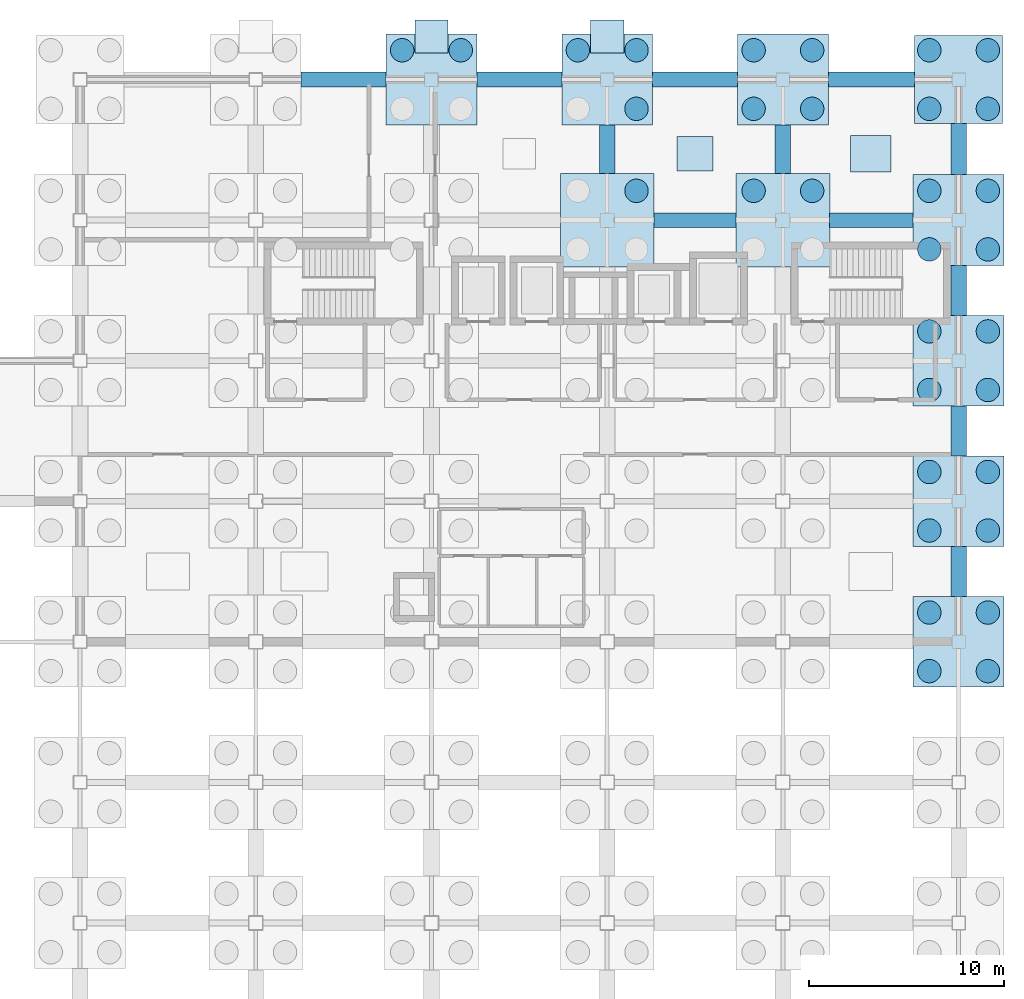
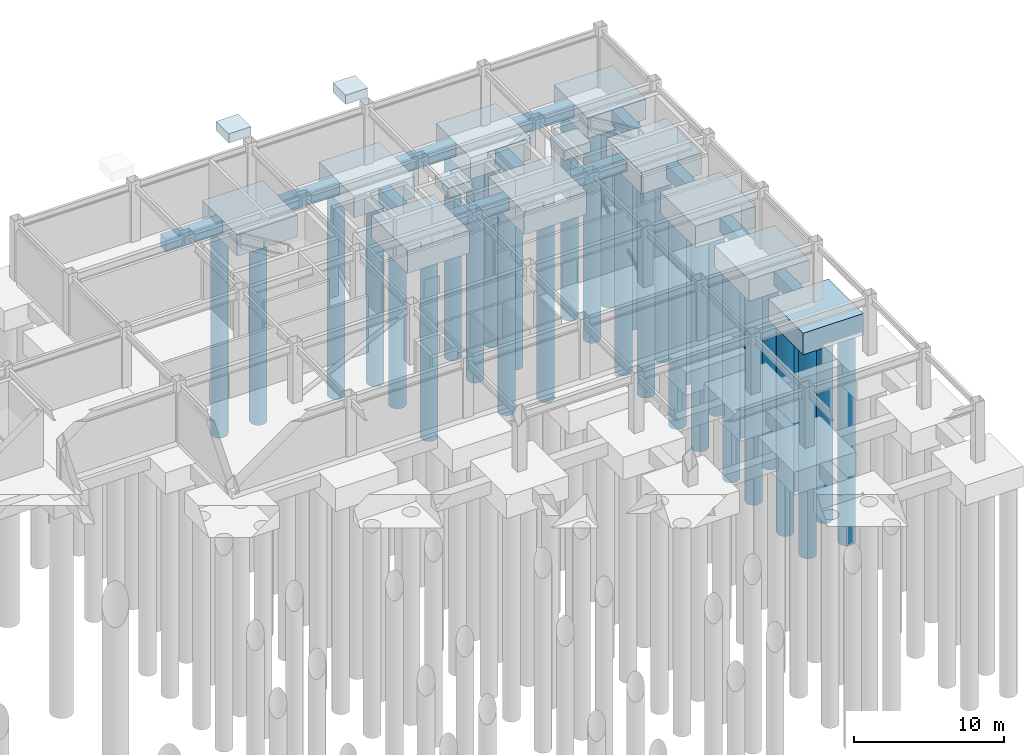
# One storey, part 10 of 28: 32 piles, 26 footings.
"""IFC4 building model written with IfcOpenShell, lengths in metres."""

from ifc_helpers import new_model, si_unit, direction, frame, origin, origin_2d, place, context, subcontext, project, spatial, rectangle, circle, extrude, material, material_profile, profile_set, type_object, element, save


model = new_model("IFC4")

# Units and contexts
model_context = context("Model", 3, precision=1e-05, world=origin(), true_north=direction((0.0, 1.0)))
body_context = subcontext(model_context, "Body", "Model", "MODEL_VIEW")
ifc_project = project(units=[si_unit("LENGTHUNIT", "METRE"), si_unit("AREAUNIT", "SQUARE_METRE"), si_unit("VOLUMEUNIT", "CUBIC_METRE"), si_unit("PLANEANGLEUNIT", "RADIAN"), si_unit("MASSUNIT", "GRAM", prefix="KILO")], contexts=[model_context])

# Site, building, storey
site_placement = place(None, origin())
site = spatial("IfcSite", under=ifc_project, at=site_placement, CompositionType="ELEMENT")
building_placement = place(site_placement, origin())
building = spatial("IfcBuilding", under=site, at=building_placement, Name="Kazanami Central Library", CompositionType="ELEMENT")
storey_placement = place(building_placement, frame((0.0, 0.0, -4.89990234375)))
storey = spatial("IfcBuildingStorey", under=building, at=storey_placement, Name="B01", CompositionType="ELEMENT", Elevation=-4.89990234375)

# Footings
ifc_material_1 = material(Name="Concrete Fc36 (36 MPa)", Category="concrete")
ifc_material_profile_1 = material_profile(ifc_material_1, rectangle(XDim=0.75, YDim=1.050048828125, at=origin_2d()), Name="RC-750x1050")
ifc_profile_set_1 = profile_set([ifc_material_profile_1], Name="Concrete Fc36 (36 MPa)")
footing_type_1 = type_object("IfcFootingType", Name="FTG-GB-05", PredefinedType="FOOTING_BEAM", material=ifc_profile_set_1)
footing_1_placement = place(storey_placement, frame((146.39990234375, 86.39990234375, -1.14501953125), z_axis=(1.0, 0.0, 0.0), x_axis=(0.0, 1.0, 0.0)))
element("IfcFooting", 1, at=footing_1_placement, inside=storey, type_object=footing_type_1, Name="Ground Tie Beam GB-05 N/17-18", PredefinedType="FOOTING_BEAM", context=body_context, shape_type="SweptSolid", body=[
    extrude(rectangle(XDim=0.75, YDim=1.050048828125, at=origin_2d()), origin(), (0.0, 0.0, 1.0), 4.2001953125),
])
footing_2_placement = place(storey_placement, frame((155.39990234375, 86.39990234375, -1.14501953125), z_axis=(1.0, 0.0, 0.0), x_axis=(0.0, 1.0, 0.0)))
element("IfcFooting", 2, at=footing_2_placement, inside=storey, type_object=footing_type_1, Name="Ground Tie Beam GB-05 N/18-19", PredefinedType="FOOTING_BEAM", context=body_context, shape_type="SweptSolid", body=[
    extrude(rectangle(XDim=0.75, YDim=1.050048828125, at=origin_2d()), origin(), (0.0, 0.0, 1.0), 4.275146484375),
])
for number, where, z_axis, x_axis, name in (
    (3, (128.324951171875, 93.60009765625, -1.14501953125), (1.0, 0.0, 0.0), (0.0, 1.0, 0.0), "Ground Tie Beam GB-05 O/15-16"),
    (4, (137.324951171875, 93.60009765625, -1.14501953125), (1.0, 0.0, 0.0), (0.0, 1.0, 0.0), "Ground Tie Beam GB-05 O/16-17"),
    (5, (146.324951171875, 93.60009765625, -1.14501953125), (1.0, 0.0, 0.0), (0.0, 1.0, 0.0), "Ground Tie Beam GB-05 O/17-18"),
):
    element("IfcFooting", number, at=place(storey_placement, frame(where, z_axis=z_axis, x_axis=x_axis)), inside=storey, type_object=footing_type_1, Name=name, PredefinedType="FOOTING_BEAM", context=body_context, shape_type="SweptSolid", body=[
        extrude(rectangle(XDim=0.75, YDim=1.050048828125, at=origin_2d()), origin(), (0.0, 0.0, 1.0), 4.35009765625),
    ])
footing_3_placement = place(storey_placement, frame((155.324951171875, 93.60009765625, -1.14501953125), z_axis=(1.0, 0.0, 0.0), x_axis=(0.0, 1.0, 0.0)))
element("IfcFooting", 6, at=footing_3_placement, inside=storey, type_object=footing_type_1, Name="Ground Tie Beam GB-05 O/18-19", PredefinedType="FOOTING_BEAM", context=body_context, shape_type="SweptSolid", body=[
    extrude(rectangle(XDim=0.75, YDim=1.050048828125, at=origin_2d()), origin(), (0.0, 0.0, 1.0), 4.425048828125),
])
ifc_material_profile_2 = material_profile(ifc_material_1, rectangle(XDim=0.800048828125, YDim=1.14990234375, at=origin_2d()), Name="RC-800x1150")
ifc_profile_set_2 = profile_set([ifc_material_profile_2], Name="Concrete Fc36 (36 MPa)")
footing_type_2 = type_object("IfcFootingType", Name="FTG-GB-06", PredefinedType="FOOTING_BEAM", material=ifc_profile_set_2)
for number, where, z_axis, x_axis, name in (
    (7, (144.0, 88.800048828125, -1.195068359375), (0.0, 1.0, 0.0), (-1.0, 0.0, 0.0), "Ground Tie Beam GB-06 17/N-O"),
    (8, (153.0, 88.800048828125, -1.195068359375), (0.0, 1.0, 0.0), (-1.0, 0.0, 0.0), "Ground Tie Beam GB-06 18/N-O"),
):
    element("IfcFooting", number, at=place(storey_placement, frame(where, z_axis=z_axis, x_axis=x_axis)), inside=storey, type_object=footing_type_2, Name=name, PredefinedType="FOOTING_BEAM", context=body_context, shape_type="SweptSolid", body=[
        extrude(rectangle(XDim=0.800048828125, YDim=1.14990234375, at=origin_2d()), origin(), (0.0, 0.0, 1.0), 2.474853515625),
    ])
for number, where, z_axis, x_axis, name in (
    (9, (162.0, 67.125, -1.195068359375), (0.0, 1.0, 0.0), (-1.0, 0.0, 0.0), "Ground Tie Beam GB-06 19/K-L"),
    (10, (162.0, 74.324951171875, -1.195068359375), (0.0, 1.0, 0.0), (-1.0, 0.0, 0.0), "Ground Tie Beam GB-06 19/L-M"),
    (11, (162.0, 81.52490234375, -1.195068359375), (0.0, 1.0, 0.0), (-1.0, 0.0, 0.0), "Ground Tie Beam GB-06 19/M-N"),
):
    element("IfcFooting", number, at=place(storey_placement, frame(where, z_axis=z_axis, x_axis=x_axis)), inside=storey, type_object=footing_type_2, Name=name, PredefinedType="FOOTING_BEAM", context=body_context, shape_type="SweptSolid", body=[
        extrude(rectangle(XDim=0.800048828125, YDim=1.14990234375, at=origin_2d()), origin(), (0.0, 0.0, 1.0), 2.550048828125),
    ])
footing_4_placement = place(storey_placement, frame((162.0, 88.72509765625, -1.195068359375), z_axis=(0.0, 1.0, 0.0), x_axis=(-1.0, 0.0, 0.0)))
element("IfcFooting", 12, at=footing_4_placement, inside=storey, type_object=footing_type_2, Name="Ground Tie Beam GB-06 19/N-O", PredefinedType="FOOTING_BEAM", context=body_context, shape_type="SweptSolid", body=[
    extrude(rectangle(XDim=0.800048828125, YDim=1.14990234375, at=origin_2d()), origin(), (0.0, 0.0, 1.0), 2.625),
])
footing_type_3 = type_object("IfcFootingType", Name="FTG-PC-01", PredefinedType="PILE_CAP", material=ifc_material_1)
for number, where, z_axis, x_axis, name in (
    (13, (144.0, 86.39990234375, -2.47021484375), (0.0, 0.0, 1.0), (1.0, 0.0, 0.0), "Pile Cap PC-01 at 17/N"),
    (14, (153.0, 86.39990234375, -2.47021484375), (0.0, 0.0, 1.0), (1.0, 0.0, 0.0), "Pile Cap PC-01 at 18/N"),
):
    element("IfcFooting", number, at=place(storey_placement, frame(where, z_axis=z_axis, x_axis=x_axis)), inside=storey, type_object=footing_type_3, Name=name, PredefinedType="PILE_CAP", context=body_context, shape_type="SweptSolid", body=[
        extrude(rectangle(XDim=4.800048828125, YDim=4.800048828125, at=origin_2d()), origin(), (0.0, 0.0, 1.0), 1.85009765625),
    ])
footing_type_4 = type_object("IfcFootingType", Name="FTG-PC-02", PredefinedType="PILE_CAP", material=ifc_material_1)
for number, where, z_axis, x_axis, name in (
    (15, (135.0, 93.60009765625, -2.3701171875), (0.0, 0.0, 1.0), (1.0, 0.0, 0.0), "Pile Cap PC-02 at 16/O"),
    (16, (144.0, 93.60009765625, -2.3701171875), (0.0, 0.0, 1.0), (1.0, 0.0, 0.0), "Pile Cap PC-02 at 17/O"),
    (17, (153.0, 93.60009765625, -2.3701171875), (0.0, 0.0, 1.0), (1.0, 0.0, 0.0), "Pile Cap PC-02 at 18/O"),
    (18, (162.0, 64.800048828125, -2.3701171875), (0.0, 0.0, 1.0), (1.0, 0.0, 0.0), "Pile Cap PC-02 at 19/K"),
    (19, (162.0, 72.0, -2.3701171875), (0.0, 0.0, 1.0), (1.0, 0.0, 0.0), "Pile Cap PC-02 at 19/L"),
    (20, (162.0, 79.199951171875, -2.3701171875), (0.0, 0.0, 1.0), (1.0, 0.0, 0.0), "Pile Cap PC-02 at 19/M"),
    (21, (162.0, 86.39990234375, -2.3701171875), (0.0, 0.0, 1.0), (1.0, 0.0, 0.0), "Pile Cap PC-02 at 19/N"),
):
    element("IfcFooting", number, at=place(storey_placement, frame(where, z_axis=z_axis, x_axis=x_axis)), inside=storey, type_object=footing_type_4, Name=name, PredefinedType="PILE_CAP", context=body_context, shape_type="SweptSolid", body=[
        extrude(rectangle(XDim=4.64990234375, YDim=4.64990234375, at=origin_2d()), origin(), (0.0, 0.0, 1.0), 1.75),
    ])
footing_type_5 = type_object("IfcFootingType", Name="FTG-PC-03", PredefinedType="PILE_CAP", material=ifc_material_1)
footing_5_placement = place(storey_placement, frame((162.0, 93.60009765625, -2.27001953125), z_axis=(0.0, 0.0, 1.0), x_axis=(1.0, 0.0, 0.0)))
element("IfcFooting", 22, at=footing_5_placement, inside=storey, type_object=footing_type_5, Name="Pile Cap PC-03 at 19/O", PredefinedType="PILE_CAP", context=body_context, shape_type="SweptSolid", body=[
    extrude(rectangle(XDim=4.5, YDim=4.5, at=origin_2d()), origin(), (0.0, 0.0, 1.0), 1.64990234375),
])
ifc_material_2 = material(Name="Concrete Fc30 (30 MPa)", Category="concrete")
footing_type_6 = type_object("IfcFootingType", Name="FTG-PF-01", PredefinedType="PAD_FOOTING", material=ifc_material_2)
for number, where, z_axis, x_axis, name in (
    (23, (135.0, 95.800048828125, 4.125), (0.0, 0.0, 1.0), (1.0, 0.0, 0.0), "Canopy Post Pad Footing CAN-V2-NORTH X=135"),
    (24, (144.0, 95.800048828125, 4.125), (0.0, 0.0, 1.0), (1.0, 0.0, 0.0), "Canopy Post Pad Footing CAN-V2-NORTH X=144"),
):
    element("IfcFooting", number, at=place(storey_placement, frame(where, z_axis=z_axis, x_axis=x_axis)), inside=storey, type_object=footing_type_6, Name=name, PredefinedType="PAD_FOOTING", context=body_context, shape_type="SweptSolid", body=[
        extrude(rectangle(XDim=1.699951171875, YDim=1.699951171875, at=origin_2d()), origin(), (0.0, 0.0, 1.0), 0.75),
    ])
footing_type_7 = type_object("IfcFootingType", Name="FTG-PF-10", PredefinedType="PAD_FOOTING", material=ifc_material_2)
footing_6_placement = place(storey_placement, frame((148.5, 89.800048828125, -1.39990234375), z_axis=(0.0, 0.0, 1.0), x_axis=(1.0, 0.0, 0.0)))
element("IfcFooting", 25, at=footing_6_placement, inside=storey, type_object=footing_type_7, Name="Equipment Pad Footing PF-10", PredefinedType="PAD_FOOTING", context=body_context, shape_type="SweptSolid", body=[
    extrude(rectangle(XDim=1.85009765625, YDim=1.75, at=origin_2d()), origin(), (0.0, 0.0, 1.0), 0.780029296875),
])
footing_type_8 = type_object("IfcFootingType", Name="FTG-PF-11", PredefinedType="PAD_FOOTING", material=ifc_material_2)
footing_7_placement = place(storey_placement, frame((157.5, 89.800048828125, -1.43994140625), z_axis=(0.0, 0.0, 1.0), x_axis=(1.0, 0.0, 0.0)))
element("IfcFooting", 26, at=footing_7_placement, inside=storey, type_object=footing_type_8, Name="Equipment Pad Footing PF-11", PredefinedType="PAD_FOOTING", context=body_context, shape_type="SweptSolid", body=[
    extrude(rectangle(XDim=2.050048828125, YDim=1.85009765625, at=origin_2d()), origin(), (0.0, 0.0, 1.0), 0.820068359375),
])

# Piles
ifc_material_profile_3 = material_profile(ifc_material_1, circle(Radius=0.60009765625, at=origin_2d()), Name="BORED-D1200")
ifc_profile_set_3 = profile_set([ifc_material_profile_3], Name="Concrete Fc36 (36 MPa)")
pile_type = type_object("IfcPileType", Name="PIL-PL-12", PredefinedType="BORED", material=ifc_profile_set_3)
for number, where, z_axis, x_axis, name in (
    (27, (133.5, 95.10009765625, -2.3701171875), (0.0, 0.0, -1.0), (1.0, 0.0, 0.0), "Bored Pile PL-12 16/O-3"),
    (28, (136.5, 95.10009765625, -2.3701171875), (0.0, 0.0, -1.0), (1.0, 0.0, 0.0), "Bored Pile PL-12 16/O-4"),
    (29, (145.5, 87.89990234375, -2.47021484375), (0.0, 0.0, -1.0), (1.0, 0.0, 0.0), "Bored Pile PL-12 17/N-4"),
    (30, (145.5, 92.10009765625, -2.3701171875), (0.0, 0.0, -1.0), (1.0, 0.0, 0.0), "Bored Pile PL-12 17/O-2"),
    (31, (142.5, 95.10009765625, -2.3701171875), (0.0, 0.0, -1.0), (1.0, 0.0, 0.0), "Bored Pile PL-12 17/O-3"),
    (32, (145.5, 95.10009765625, -2.3701171875), (0.0, 0.0, -1.0), (1.0, 0.0, 0.0), "Bored Pile PL-12 17/O-4"),
    (33, (151.5, 87.89990234375, -2.47021484375), (0.0, 0.0, -1.0), (1.0, 0.0, 0.0), "Bored Pile PL-12 18/N-3"),
    (34, (154.5, 87.89990234375, -2.47021484375), (0.0, 0.0, -1.0), (1.0, 0.0, 0.0), "Bored Pile PL-12 18/N-4"),
    (35, (151.5, 92.10009765625, -2.3701171875), (0.0, 0.0, -1.0), (1.0, 0.0, 0.0), "Bored Pile PL-12 18/O-1"),
    (36, (154.5, 92.10009765625, -2.3701171875), (0.0, 0.0, -1.0), (1.0, 0.0, 0.0), "Bored Pile PL-12 18/O-2"),
    (37, (151.5, 95.10009765625, -2.3701171875), (0.0, 0.0, -1.0), (1.0, 0.0, 0.0), "Bored Pile PL-12 18/O-3"),
    (38, (154.5, 95.10009765625, -2.3701171875), (0.0, 0.0, -1.0), (1.0, 0.0, 0.0), "Bored Pile PL-12 18/O-4"),
    (39, (160.5, 63.300048828125, -2.3701171875), (0.0, 0.0, -1.0), (1.0, 0.0, 0.0), "Bored Pile PL-12 19/K-1"),
    (40, (163.5, 63.300048828125, -2.3701171875), (0.0, 0.0, -1.0), (1.0, 0.0, 0.0), "Bored Pile PL-12 19/K-2"),
    (41, (160.5, 66.300048828125, -2.3701171875), (0.0, 0.0, -1.0), (1.0, 0.0, 0.0), "Bored Pile PL-12 19/K-3"),
    (42, (163.5, 66.300048828125, -2.3701171875), (0.0, 0.0, -1.0), (1.0, 0.0, 0.0), "Bored Pile PL-12 19/K-4"),
    (43, (160.5, 70.5, -2.3701171875), (0.0, 0.0, -1.0), (1.0, 0.0, 0.0), "Bored Pile PL-12 19/L-1"),
    (44, (163.5, 70.5, -2.3701171875), (0.0, 0.0, -1.0), (1.0, 0.0, 0.0), "Bored Pile PL-12 19/L-2"),
    (45, (160.5, 73.5, -2.3701171875), (0.0, 0.0, -1.0), (1.0, 0.0, 0.0), "Bored Pile PL-12 19/L-3"),
    (46, (163.5, 73.5, -2.3701171875), (0.0, 0.0, -1.0), (1.0, 0.0, 0.0), "Bored Pile PL-12 19/L-4"),
    (47, (160.5, 77.699951171875, -2.3701171875), (0.0, 0.0, -1.0), (1.0, 0.0, 0.0), "Bored Pile PL-12 19/M-1"),
    (48, (163.5, 77.699951171875, -2.3701171875), (0.0, 0.0, -1.0), (1.0, 0.0, 0.0), "Bored Pile PL-12 19/M-2"),
    (49, (160.5, 80.699951171875, -2.3701171875), (0.0, 0.0, -1.0), (1.0, 0.0, 0.0), "Bored Pile PL-12 19/M-3"),
    (50, (163.5, 80.699951171875, -2.3701171875), (0.0, 0.0, -1.0), (1.0, 0.0, 0.0), "Bored Pile PL-12 19/M-4"),
    (51, (160.5, 84.89990234375, -2.3701171875), (0.0, 0.0, -1.0), (1.0, 0.0, 0.0), "Bored Pile PL-12 19/N-1"),
    (52, (163.5, 84.89990234375, -2.3701171875), (0.0, 0.0, -1.0), (1.0, 0.0, 0.0), "Bored Pile PL-12 19/N-2"),
    (53, (160.5, 87.89990234375, -2.3701171875), (0.0, 0.0, -1.0), (1.0, 0.0, 0.0), "Bored Pile PL-12 19/N-3"),
    (54, (163.5, 87.89990234375, -2.3701171875), (0.0, 0.0, -1.0), (1.0, 0.0, 0.0), "Bored Pile PL-12 19/N-4"),
    (55, (160.5, 92.10009765625, -2.27001953125), (0.0, 0.0, -1.0), (1.0, 0.0, 0.0), "Bored Pile PL-12 19/O-1"),
    (56, (163.5, 92.10009765625, -2.27001953125), (0.0, 0.0, -1.0), (1.0, 0.0, 0.0), "Bored Pile PL-12 19/O-2"),
    (57, (160.5, 95.10009765625, -2.27001953125), (0.0, 0.0, -1.0), (1.0, 0.0, 0.0), "Bored Pile PL-12 19/O-3"),
    (58, (163.5, 95.10009765625, -2.27001953125), (0.0, 0.0, -1.0), (1.0, 0.0, 0.0), "Bored Pile PL-12 19/O-4"),
):
    element("IfcPile", number, at=place(storey_placement, frame(where, z_axis=z_axis, x_axis=x_axis)), inside=storey, type_object=pile_type, Name=name, PredefinedType="BORED", context=body_context, shape_type="SweptSolid", body=[
        extrude(circle(Radius=0.60009765625, at=origin_2d()), origin(), (0.0, 0.0, 1.0), 17.0),
    ])

save(model, "model.ifc")
